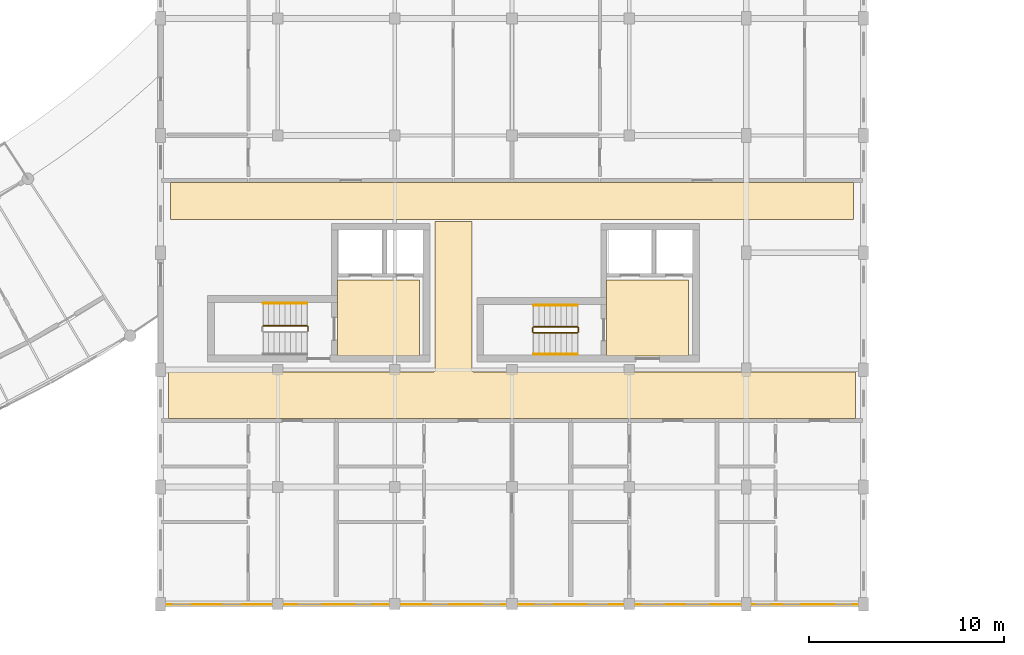
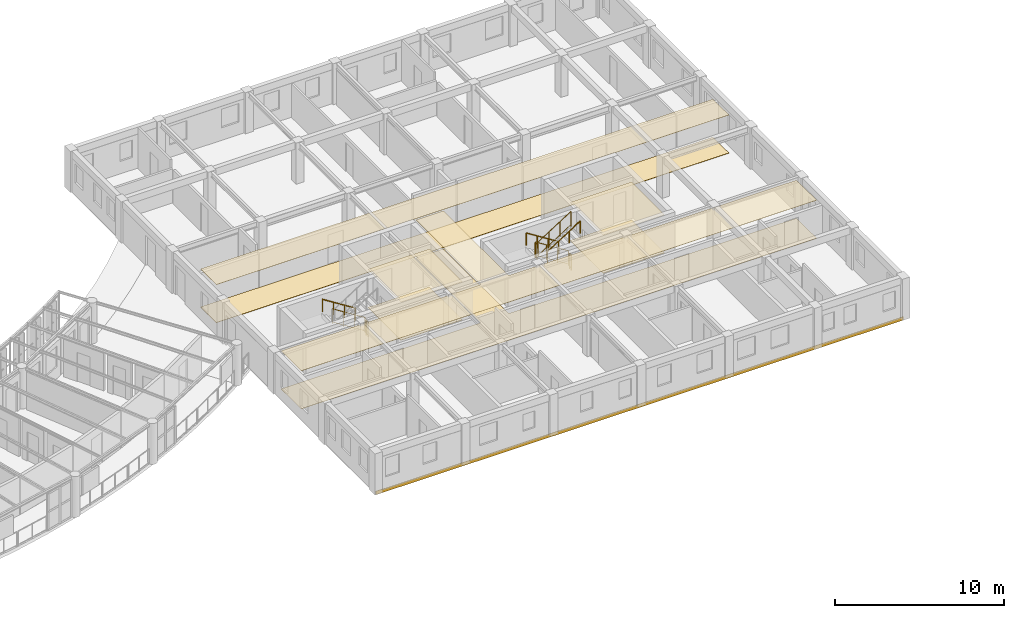
# One storey, part 94 of 101: 9 coverings, 9 railings.
"""IFC4 building model written with IfcOpenShell, lengths in metres."""

from ifc_helpers import new_model, si_unit, direction, frame, origin, origin_2d, place, context, subcontext, project, spatial, polyline, circle, outline, extrude, material, layer, layer_set, type_object, element, save


model = new_model("IFC4")

# Units and contexts
model_context = context("Model", 3, precision=1e-05, world=origin(), true_north=direction((0.0, 1.0)))
body_context = subcontext(model_context, "Body", "Model", "MODEL_VIEW")
ifc_project = project(units=[si_unit("LENGTHUNIT", "METRE"), si_unit("AREAUNIT", "SQUARE_METRE"), si_unit("VOLUMEUNIT", "CUBIC_METRE"), si_unit("PLANEANGLEUNIT", "RADIAN"), si_unit("MASSUNIT", "GRAM", prefix="KILO"), si_unit("POWERUNIT", "WATT"), si_unit("THERMODYNAMICTEMPERATUREUNIT", "KELVIN")], contexts=[model_context])

# Site, building, storey
site_placement = place(None, origin())
site = spatial("IfcSite", under=ifc_project, at=site_placement, CompositionType="ELEMENT")
building_placement = place(site_placement, origin())
building = spatial("IfcBuilding", under=site, at=building_placement, Name="Ruvembo Vaulted Housing Court", CompositionType="ELEMENT")
storey_placement = place(building_placement, frame((0.0, 0.0, 17.300048828125)))
storey = spatial("IfcBuildingStorey", under=building, at=storey_placement, Name="L05", CompositionType="ELEMENT", Elevation=17.300048828125)

# Coverings
ifc_material_1 = material(Name="Perforated Mineral-Fibre Acoustic Tile", Category="gypsum")
ifc_layer_1 = layer(ifc_material_1, 0.02001953125, Name="Perforated Mineral-Fibre Acoustic Tile")
ifc_layer_set_1 = layer_set([ifc_layer_1], Name="Perforated Mineral-Fibre Acoustic Tile")
covering_type_1 = type_object("IfcCoveringType", Name="COV-CEIL-ACOUST", PredefinedType="CEILING", material=ifc_layer_set_1)
covering_1_placement = place(storey_placement, frame((0.0, 0.0, 2.75)))
element("IfcCovering", 1, at=covering_1_placement, inside=storey, type_object=covering_type_1, Name="Protected Core Lobby C1 Ceiling", PredefinedType="CEILING", context=body_context, shape_type="SweptSolid", body=[
    extrude(outline(polyline([(115.25, 16.60009765625), (111.050048828125, 16.60009765625), (111.050048828125, 12.699951171875), (115.25, 12.699951171875), (115.25, 16.60009765625)])), origin(), (0.0, 0.0, 1.0), 0.02001953125),
])
covering_2_placement = place(storey_placement, frame((0.0, 0.0, 2.75)))
element("IfcCovering", 2, at=covering_2_placement, inside=storey, type_object=covering_type_1, Name="Protected Core Lobby C2 Ceiling", PredefinedType="CEILING", context=body_context, shape_type="SweptSolid", body=[
    extrude(outline(polyline([(129.050048828125, 16.60009765625), (124.85009765625, 16.60009765625), (124.85009765625, 12.699951171875), (129.050048828125, 12.699951171875), (129.050048828125, 16.60009765625)])), origin(), (0.0, 0.0, 1.0), 0.02001953125),
])
covering_3_placement = place(storey_placement, frame((0.0, 0.0, 2.744873046875)))
element("IfcCovering", 3, at=covering_3_placement, inside=storey, type_object=covering_type_1, Name="Block C L05 Corridor Ceiling", PredefinedType="CEILING", context=body_context, shape_type="SweptSolid", body=[
    extrude(outline(polyline([(137.590087890625, 9.510009765625), (137.590087890625, 11.889892578125), (118.050048828125, 11.889892578125), (118.039306640625, 11.890380859375), (118.028564453125, 11.89208984375), (118.01806640625, 11.894775390625), (118.0078125, 11.8984375), (117.998046875, 11.903076171875), (117.989013671875, 11.908447265625), (117.980224609375, 11.9150390625), (117.97216796875, 11.922119140625), (117.965087890625, 11.93017578125), (117.95849609375, 11.93896484375), (117.952880859375, 11.947998046875), (117.948486328125, 11.9580078125), (117.944580078125, 11.968017578125), (117.942138671875, 11.978515625), (117.9404296875, 11.9892578125), (117.93994140625, 12.0), (117.93994140625, 19.590087890625), (116.06005859375, 19.590087890625), (116.06005859375, 12.0), (116.0595703125, 11.9892578125), (116.057861328125, 11.978515625), (116.055419921875, 11.968017578125), (116.051513671875, 11.9580078125), (116.047119140625, 11.947998046875), (116.04150390625, 11.93896484375), (116.034912109375, 11.93017578125), (116.02783203125, 11.922119140625), (116.019775390625, 11.9150390625), (116.010986328125, 11.908447265625), (116.001953125, 11.903076171875), (115.9921875, 11.8984375), (115.98193359375, 11.894775390625), (115.971435546875, 11.89208984375), (115.960693359375, 11.890380859375), (115.949951171875, 11.889892578125), (102.409912109375, 11.889892578125), (102.409912109375, 9.510009765625), (137.590087890625, 9.510009765625)])), origin(), (0.0, 0.0, 1.0), 0.02001953125),
])
covering_4_placement = place(storey_placement, frame((0.0, 0.0, 2.744873046875)))
element("IfcCovering", 4, at=covering_4_placement, inside=storey, type_object=covering_type_1, Name="Block C L05 North Sub-Corridor Ceiling", PredefinedType="CEILING", context=body_context, shape_type="SweptSolid", body=[
    extrude(outline(polyline([(102.510009765625, 19.7099609375), (137.489990234375, 19.7099609375), (137.489990234375, 21.590087890625), (102.510009765625, 21.590087890625), (102.510009765625, 19.7099609375)])), origin(), (0.0, 0.0, 1.0), 0.02001953125),
])
ifc_material_2 = material(Name="Lime-Cement Mineral Render", Category="plaster")
ifc_layer_2 = layer(ifc_material_2, 0.02490234375, Name="Lime-Cement Mineral Render")
ifc_layer_set_2 = layer_set([ifc_layer_2], Name="Lime-Cement Mineral Render")
covering_type_2 = type_object("IfcCoveringType", Name="COV-CLAD-RENDER", PredefinedType="CLADDING", material=ifc_layer_set_2)
covering_5_placement = place(storey_placement, frame((0.0, 0.0, -0.25)))
element("IfcCovering", 5, at=covering_5_placement, inside=storey, type_object=covering_type_2, Name="Block C L05 Mineral Render Fascia Band", PredefinedType="CLADDING", context=body_context, shape_type="SweptSolid", body=[
    extrude(outline(polyline([(102.0, -0.030029296875), (138.0, -0.030029296875), (138.0, 0.0), (102.0, 0.0), (102.0, -0.030029296875)])), origin(), (0.0, 0.0, 1.0), 0.25),
])
ifc_material_3 = material(Name="Polished Cement-Aggregate Terrazzo", Category="stone")
ifc_layer_3 = layer(ifc_material_3, 0.02197265625, Name="Polished Cement-Aggregate Terrazzo")
ifc_layer_set_3 = layer_set([ifc_layer_3], Name="Polished Cement-Aggregate Terrazzo")
covering_type_3 = type_object("IfcCoveringType", Name="COV-FLR-CERAMIC", PredefinedType="FLOORING", material=ifc_layer_set_3)
covering_6_placement = place(storey_placement, origin())
element("IfcCovering", 6, at=covering_6_placement, inside=storey, type_object=covering_type_3, Name="Protected Core Lobby C1 Flooring", PredefinedType="FLOORING", context=body_context, shape_type="SweptSolid", body=[
    extrude(outline(polyline([(115.25, 16.60009765625), (111.050048828125, 16.60009765625), (111.050048828125, 12.699951171875), (115.25, 12.699951171875), (115.25, 16.60009765625)])), origin(), (0.0, 0.0, 1.0), 0.02197265625),
])
covering_7_placement = place(storey_placement, origin())
element("IfcCovering", 7, at=covering_7_placement, inside=storey, type_object=covering_type_3, Name="Protected Core Lobby C2 Flooring", PredefinedType="FLOORING", context=body_context, shape_type="SweptSolid", body=[
    extrude(outline(polyline([(129.050048828125, 16.60009765625), (124.85009765625, 16.60009765625), (124.85009765625, 12.699951171875), (129.050048828125, 12.699951171875), (129.050048828125, 16.60009765625)])), origin(), (0.0, 0.0, 1.0), 0.02197265625),
])
covering_8_placement = place(storey_placement, origin())
element("IfcCovering", 8, at=covering_8_placement, inside=storey, type_object=covering_type_3, Name="Block C L05 Corridor Flooring", PredefinedType="FLOORING", context=body_context, shape_type="SweptSolid", body=[
    extrude(outline(polyline([(137.590087890625, 9.510009765625), (137.590087890625, 11.889892578125), (118.050048828125, 11.889892578125), (118.039306640625, 11.890380859375), (118.028564453125, 11.89208984375), (118.01806640625, 11.894775390625), (118.0078125, 11.8984375), (117.998046875, 11.903076171875), (117.989013671875, 11.908447265625), (117.980224609375, 11.9150390625), (117.97216796875, 11.922119140625), (117.965087890625, 11.93017578125), (117.95849609375, 11.93896484375), (117.952880859375, 11.947998046875), (117.948486328125, 11.9580078125), (117.944580078125, 11.968017578125), (117.942138671875, 11.978515625), (117.9404296875, 11.9892578125), (117.93994140625, 12.0), (117.93994140625, 19.590087890625), (116.06005859375, 19.590087890625), (116.06005859375, 12.0), (116.0595703125, 11.9892578125), (116.057861328125, 11.978515625), (116.055419921875, 11.968017578125), (116.051513671875, 11.9580078125), (116.047119140625, 11.947998046875), (116.04150390625, 11.93896484375), (116.034912109375, 11.93017578125), (116.02783203125, 11.922119140625), (116.019775390625, 11.9150390625), (116.010986328125, 11.908447265625), (116.001953125, 11.903076171875), (115.9921875, 11.8984375), (115.98193359375, 11.894775390625), (115.971435546875, 11.89208984375), (115.960693359375, 11.890380859375), (115.949951171875, 11.889892578125), (102.409912109375, 11.889892578125), (102.409912109375, 9.510009765625), (137.590087890625, 9.510009765625)])), origin(), (0.0, 0.0, 1.0), 0.02197265625),
])
covering_9_placement = place(storey_placement, origin())
element("IfcCovering", 9, at=covering_9_placement, inside=storey, type_object=covering_type_3, Name="Block C L05 North Sub-Corridor Flooring", PredefinedType="FLOORING", context=body_context, shape_type="SweptSolid", body=[
    extrude(outline(polyline([(102.510009765625, 19.7099609375), (137.489990234375, 19.7099609375), (137.489990234375, 21.590087890625), (102.510009765625, 21.590087890625), (102.510009765625, 19.7099609375)])), origin(), (0.0, 0.0, 1.0), 0.02197265625),
])

# Railings
ifc_material_4 = material(Name="Painted Galvanised Steel S275", Category="steel")
ifc_layer_4 = layer(ifc_material_4, 0.06005859375, Name="Painted Galvanised Steel S275")
ifc_layer_set_4 = layer_set([ifc_layer_4], Name="Painted Galvanised Steel S275")
railing_type_1 = type_object("IfcRailingType", Name="RL-STAIR-GR1100", PredefinedType="GUARDRAIL", material=ifc_layer_set_4)
railing_1_placement = place(storey_placement, frame((109.5, 14.25, 0.177734375)))
element("IfcRailing", 10, at=railing_1_placement, inside=storey, type_object=railing_type_1, Name="L05 ST-C1 stair guard 1", PredefinedType="GUARDRAIL", context=body_context, shape_type="SweptSolid", body=[
    extrude(circle(Radius=0.02392578125, at=origin_2d()), frame((0.0, 0.0, 1.076171875), z_axis=(-0.8442293374, 0.0, 0.53598211339), x_axis=(0.0, -1.0, 0.0)), (0.0, 0.0, 1.0), 2.6533203125),
    extrude(circle(Radius=0.01806640625, at=origin_2d()), frame((0.0, 0.0, 0.1201171875), z_axis=(-0.8442293374, 0.0, 0.53598211339), x_axis=(0.0, -1.0, 0.0)), (0.0, 0.0, 1.0), 2.6533203125),
    extrude(circle(Radius=0.02099609375, at=origin_2d()), origin(), (0.0, 0.0, 1.0), 1.052001953125),
    extrude(circle(Radius=0.02099609375, at=origin_2d()), frame((-0.74658203125, 0.0, 0.47412109375)), (0.0, 0.0, 1.0), 1.052001953125),
    extrude(circle(Radius=0.02099609375, at=origin_2d()), frame((-1.493408203125, 0.0, 0.947998046875)), (0.0, 0.0, 1.0), 1.052001953125),
    extrude(circle(Radius=0.02099609375, at=origin_2d()), frame((-2.239990234375, 0.0, 1.422119140625)), (0.0, 0.0, 1.0), 1.052001953125),
])
railing_2_placement = place(storey_placement, frame((109.550048828125, 14.199951171875, 0.0)))
element("IfcRailing", 11, at=railing_2_placement, inside=storey, type_object=railing_type_1, Name="L05 ST-C1 stair guard 4", PredefinedType="GUARDRAIL", context=body_context, shape_type="SweptSolid", body=[
    extrude(circle(Radius=0.02392578125, at=origin_2d()), frame((0.0, 0.0, 1.076171875), z_axis=(0.0, -1.0, 0.0), x_axis=(1.0, 0.0, 0.0)), (0.0, 0.0, 1.0), 0.199951171875),
    extrude(circle(Radius=0.01806640625, at=origin_2d()), frame((0.0, 0.0, 0.1201171875), z_axis=(0.0, -1.0, 0.0), x_axis=(1.0, 0.0, 0.0)), (0.0, 0.0, 1.0), 0.199951171875),
    extrude(circle(Radius=0.02099609375, at=origin_2d()), origin(), (0.0, 0.0, 1.0), 1.052001953125),
    extrude(circle(Radius=0.02099609375, at=origin_2d()), frame((0.0, -0.199951171875, 0.0)), (0.0, 0.0, 1.0), 1.052001953125),
])
railing_3_placement = place(storey_placement, frame((123.35009765625, 14.199951171875, 0.177734375)))
element("IfcRailing", 12, at=railing_3_placement, inside=storey, type_object=railing_type_1, Name="L05 ST-C2 stair guard 1", PredefinedType="GUARDRAIL", context=body_context, shape_type="SweptSolid", body=[
    extrude(circle(Radius=0.02392578125, at=origin_2d()), frame((0.0, 0.0, 1.076171875), z_axis=(-0.8442293374, 0.0, 0.53598211339), x_axis=(0.0, -1.0, 0.0)), (0.0, 0.0, 1.0), 2.6533203125),
    extrude(circle(Radius=0.01806640625, at=origin_2d()), frame((0.0, 0.0, 0.1201171875), z_axis=(-0.8442293374, 0.0, 0.53598211339), x_axis=(0.0, -1.0, 0.0)), (0.0, 0.0, 1.0), 2.6533203125),
    extrude(circle(Radius=0.02099609375, at=origin_2d()), origin(), (0.0, 0.0, 1.0), 1.052001953125),
    extrude(circle(Radius=0.02099609375, at=origin_2d()), frame((-0.74658203125, 0.0, 0.47412109375)), (0.0, 0.0, 1.0), 1.052001953125),
    extrude(circle(Radius=0.02099609375, at=origin_2d()), frame((-1.493408203125, 0.0, 0.947998046875)), (0.0, 0.0, 1.0), 1.052001953125),
    extrude(circle(Radius=0.02099609375, at=origin_2d()), frame((-2.239990234375, 0.0, 1.422119140625)), (0.0, 0.0, 1.0), 1.052001953125),
])
railing_4_placement = place(storey_placement, frame((121.06005859375, 14.14990234375, 1.599853515625)))
element("IfcRailing", 13, at=railing_4_placement, inside=storey, type_object=railing_type_1, Name="L05 ST-C2 stair guard 2", PredefinedType="GUARDRAIL", context=body_context, shape_type="SweptSolid", body=[
    extrude(circle(Radius=0.02392578125, at=origin_2d()), frame((0.0, 0.0, 1.076171875), z_axis=(0.0, -1.0, 0.0), x_axis=(1.0, 0.0, 0.0)), (0.0, 0.0, 1.0), 0.199951171875),
    extrude(circle(Radius=0.01806640625, at=origin_2d()), frame((0.0, 0.0, 0.1201171875), z_axis=(0.0, -1.0, 0.0), x_axis=(1.0, 0.0, 0.0)), (0.0, 0.0, 1.0), 0.199951171875),
    extrude(circle(Radius=0.02099609375, at=origin_2d()), origin(), (0.0, 0.0, 1.0), 1.052001953125),
    extrude(circle(Radius=0.02099609375, at=origin_2d()), frame((0.0, -0.199951171875, 0.0)), (0.0, 0.0, 1.0), 1.052001953125),
])
railing_5_placement = place(storey_placement, frame((121.110107421875, 13.89990234375, 1.77783203125)))
element("IfcRailing", 14, at=railing_5_placement, inside=storey, type_object=railing_type_1, Name="L05 ST-C2 stair guard 3", PredefinedType="GUARDRAIL", context=body_context, shape_type="SweptSolid", body=[
    extrude(circle(Radius=0.02392578125, at=origin_2d()), frame((0.0, 0.0, 1.076171875), z_axis=(0.8442293374, 0.0, 0.53598211339), x_axis=(0.0, 1.0, 0.0)), (0.0, 0.0, 1.0), 2.6533203125),
    extrude(circle(Radius=0.01806640625, at=origin_2d()), frame((0.0, 0.0, 0.1201171875), z_axis=(0.8442293374, 0.0, 0.53598211339), x_axis=(0.0, 1.0, 0.0)), (0.0, 0.0, 1.0), 2.6533203125),
    extrude(circle(Radius=0.02099609375, at=origin_2d()), origin(), (0.0, 0.0, 1.0), 1.052001953125),
    extrude(circle(Radius=0.02099609375, at=origin_2d()), frame((0.74658203125, 0.0, 0.47412109375)), (0.0, 0.0, 1.0), 1.052001953125),
    extrude(circle(Radius=0.02099609375, at=origin_2d()), frame((1.493408203125, 0.0, 0.947998046875)), (0.0, 0.0, 1.0), 1.052001953125),
    extrude(circle(Radius=0.02099609375, at=origin_2d()), frame((2.239990234375, 0.0, 1.422119140625)), (0.0, 0.0, 1.0), 1.052001953125),
])
railing_6_placement = place(storey_placement, frame((123.39990234375, 14.14990234375, 0.0)))
element("IfcRailing", 15, at=railing_6_placement, inside=storey, type_object=railing_type_1, Name="L05 ST-C2 stair guard 4", PredefinedType="GUARDRAIL", context=body_context, shape_type="SweptSolid", body=[
    extrude(circle(Radius=0.02392578125, at=origin_2d()), frame((0.0, 0.0, 1.076171875), z_axis=(0.0, -1.0, 0.0), x_axis=(1.0, 0.0, 0.0)), (0.0, 0.0, 1.0), 0.199951171875),
    extrude(circle(Radius=0.01806640625, at=origin_2d()), frame((0.0, 0.0, 0.1201171875), z_axis=(0.0, -1.0, 0.0), x_axis=(1.0, 0.0, 0.0)), (0.0, 0.0, 1.0), 0.199951171875),
    extrude(circle(Radius=0.02099609375, at=origin_2d()), origin(), (0.0, 0.0, 1.0), 1.052001953125),
    extrude(circle(Radius=0.02099609375, at=origin_2d()), frame((0.0, -0.199951171875, 0.0)), (0.0, 0.0, 1.0), 1.052001953125),
])
ifc_material_5 = material(Name="Brushed Stainless Steel 304", Category="steel")
ifc_layer_5 = layer(ifc_material_5, 0.050048828125, Name="Brushed Stainless Steel 304")
ifc_layer_set_5 = layer_set([ifc_layer_5], Name="Brushed Stainless Steel 304")
railing_type_2 = type_object("IfcRailingType", Name="RL-STAIR-HR920", PredefinedType="HANDRAIL", material=ifc_layer_set_5)
for number, where, name in (
    (16, (109.5, 15.39990234375, 0.359130859375), "L05 ST-C1 stair handrail 1"),
    (17, (123.35009765625, 15.300048828125, 0.359130859375), "L05 ST-C2 stair handrail 1"),
):
    element("IfcRailing", number, at=place(storey_placement, frame(where)), inside=storey, type_object=railing_type_2, Name=name, PredefinedType="HANDRAIL", context=body_context, shape_type="SweptSolid", body=[
        extrude(circle(Radius=0.02392578125, at=origin_2d()), frame((0.0, 0.0, 0.8759765625), z_axis=(-0.84418770128, 0.0, 0.536047689118), x_axis=(0.0, -1.0, 0.0)), (0.0, 0.0, 1.0), 2.6533203125),
        extrude(circle(Radius=0.02099609375, at=origin_2d()), origin(), (0.0, 0.0, 1.0), 0.851806640625),
        extrude(circle(Radius=0.02099609375, at=origin_2d()), frame((-0.74658203125, 0.0, 0.47412109375)), (0.0, 0.0, 1.0), 0.851806640625),
        extrude(circle(Radius=0.02099609375, at=origin_2d()), frame((-1.493408203125, 0.0, 0.9482421875)), (0.0, 0.0, 1.0), 0.851806640625),
        extrude(circle(Radius=0.02099609375, at=origin_2d()), frame((-2.239990234375, 0.0, 1.42236328125)), (0.0, 0.0, 1.0), 0.851806640625),
    ])
railing_7_placement = place(storey_placement, frame((121.110107421875, 12.800048828125, 1.959228515625)))
element("IfcRailing", 18, at=railing_7_placement, inside=storey, type_object=railing_type_2, Name="L05 ST-C2 stair handrail 2", PredefinedType="HANDRAIL", context=body_context, shape_type="SweptSolid", body=[
    extrude(circle(Radius=0.02392578125, at=origin_2d()), frame((0.0, 0.0, 0.8759765625), z_axis=(0.8442293374, 0.0, 0.53598211339), x_axis=(0.0, 1.0, 0.0)), (0.0, 0.0, 1.0), 2.6533203125),
    extrude(circle(Radius=0.02099609375, at=origin_2d()), origin(), (0.0, 0.0, 1.0), 0.851806640625),
    extrude(circle(Radius=0.02099609375, at=origin_2d()), frame((0.74658203125, 0.0, 0.47412109375)), (0.0, 0.0, 1.0), 0.851806640625),
    extrude(circle(Radius=0.02099609375, at=origin_2d()), frame((1.493408203125, 0.0, 0.947998046875)), (0.0, 0.0, 1.0), 0.851806640625),
    extrude(circle(Radius=0.02099609375, at=origin_2d()), frame((2.239990234375, 0.0, 1.422119140625)), (0.0, 0.0, 1.0), 0.851806640625),
])

save(model, "model.ifc")
